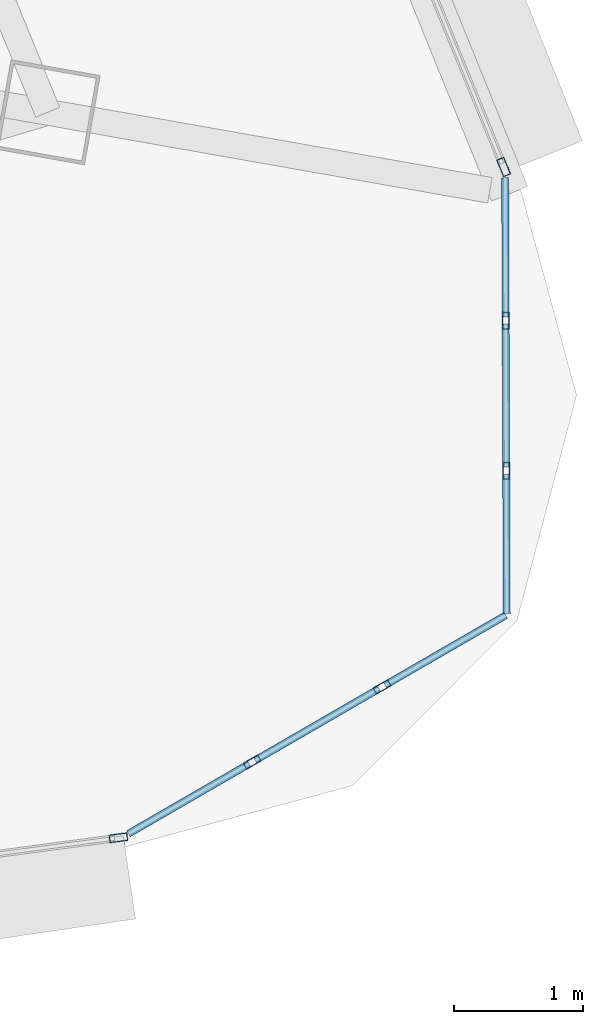
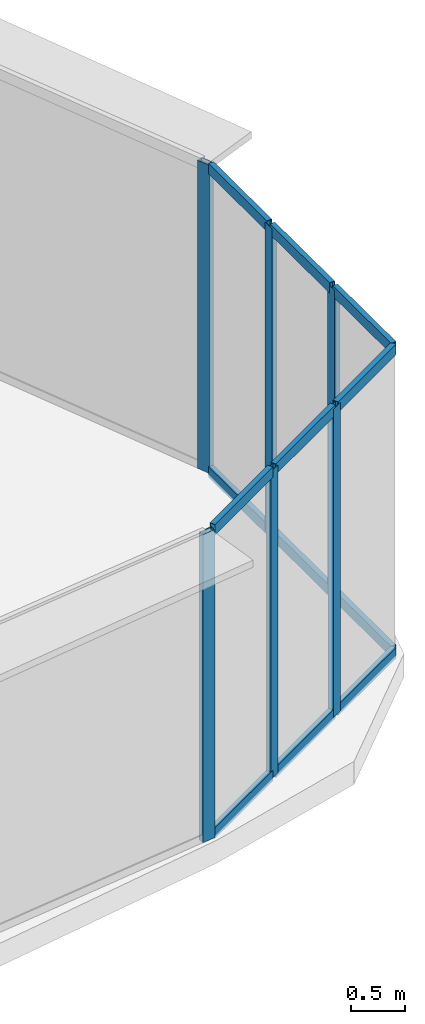
# One storey, part 13 of 27: 18 members, 4 elements without a shape of their own.
"""IFC4 building model written with IfcOpenShell, lengths in metres."""

from ifc_helpers import new_model, si_unit, direction, frame, origin, origin_2d, place, context, subcontext, project, spatial, hollow_rectangle, extrude, source, transform, mapped, material, layer, layer_set, material_profile, profile_set, type_object, element, aggregate, save


model = new_model("IFC4")

# Units and contexts
model_context = context("Model", 3, precision=1e-05, world=origin(), true_north=direction((0.0, 1.0)))
body_context = subcontext(model_context, "Body", "Model", "MODEL_VIEW")
ifc_project = project(units=[si_unit("LENGTHUNIT", "METRE"), si_unit("AREAUNIT", "SQUARE_METRE"), si_unit("VOLUMEUNIT", "CUBIC_METRE"), si_unit("PLANEANGLEUNIT", "RADIAN"), si_unit("MASSUNIT", "GRAM", prefix="KILO"), si_unit("THERMODYNAMICTEMPERATUREUNIT", "KELVIN"), si_unit("POWERUNIT", "WATT")], contexts=[model_context])

# Site, building, storey
site_placement = place(None, origin())
site = spatial("IfcSite", under=ifc_project, at=site_placement, CompositionType="ELEMENT")
building_placement = place(site_placement, origin())
building = spatial("IfcBuilding", under=site, at=building_placement, Name="Yunzhuo Pagoda Commons", CompositionType="ELEMENT")
storey_placement = place(building_placement, frame((0.0, 0.0, 344.260009765625)))
storey = spatial("IfcBuildingStorey", under=building, at=storey_placement, Name="L86", CompositionType="ELEMENT", Elevation=344.260009765625)

# Curtain wall, member
ifc_material = material(Name="Anodized aluminium 6063-T6", Category="aluminium")
ifc_layer_1 = layer(ifc_material, 0.139892578125)
ifc_layer_set_1 = layer_set([ifc_layer_1], Name="Anodized aluminium 6063-T6")
curtain_wall_type_1 = type_object("IfcCurtainWallType", Name="CW-HI High-Zone Ribbon Curtain Wall", PredefinedType="NOTDEFINED", material=ifc_layer_set_1)
curtain_wall_1_placement = place(storey_placement, origin())
curtain_wall_1 = element("IfcCurtainWall", 1, at=curtain_wall_1_placement, inside=storey, type_object=curtain_wall_type_1, Name="L86 curtain wall CW-L86-F1B5", PredefinedType="NOTDEFINED")
ifc_material_profile_1 = material_profile(ifc_material, hollow_rectangle(XDim=0.06005859375, YDim=0.139892578125, WallThickness=0.00341796875, at=origin_2d()), Name="Anodized aluminium 6063-T6")
ifc_profile_set_1 = profile_set([ifc_material_profile_1], Name="Anodized aluminium 6063-T6")
member_type_1 = type_object("IfcMemberType", Name="CW-HI-M Mullion RHS 140x60x3.5", PredefinedType="MULLION", material=ifc_profile_set_1)
shared_shape_1 = source(origin(), body_context, "Body", "SweptSolid", [
    extrude(hollow_rectangle(XDim=0.06005859375, YDim=0.139892578125, WallThickness=0.00341796875, at=origin_2d()), origin(), (0.0, 0.0, 1.0), 3.489990234375),
])
member_1_placement = place(storey_placement, frame((73.0166015625, 23.781982421875, 0.0), z_axis=(0.0, 0.0, 1.0), x_axis=(-0.132068741636, 0.991240559845, 0.0)))
member_1 = element("IfcMember", 2, at=member_1_placement, type_object=member_type_1, Name="CW mullion 2", PredefinedType="MULLION", context=body_context, shape_type="MappedRepresentation", body=[
    mapped(shared_shape_1, transform((0.0, 0.0, 0.0), scale=1.0)),
])
aggregate(curtain_wall_1, [member_1])

curtain_wall_2_placement = place(storey_placement, origin())
curtain_wall_2 = element("IfcCurtainWall", 3, at=curtain_wall_2_placement, inside=storey, type_object=curtain_wall_type_1, Name="L86 curtain wall CW-L86-F2B2", PredefinedType="NOTDEFINED")
member_2_placement = place(storey_placement, frame((75.991455078125, 28.962890625, 0.0), z_axis=(0.0, 0.0, 1.0), x_axis=(-0.925729863061, -0.37818543155, 0.0)))
member_2 = element("IfcMember", 4, at=member_2_placement, type_object=member_type_1, Name="CW mullion 1", PredefinedType="MULLION", context=body_context, shape_type="MappedRepresentation", body=[
    mapped(shared_shape_1, transform((0.0, 0.0, 0.0), scale=1.0)),
])
aggregate(curtain_wall_2, [member_2])

# Curtain wall, members
ifc_layer_2 = layer(ifc_material, 0.1298828125)
ifc_layer_set_2 = layer_set([ifc_layer_2], Name="Anodized aluminium 6063-T6")
curtain_wall_type_2 = type_object("IfcCurtainWallType", Name="CW-VTX Rounded Corner Curtain Wall", PredefinedType="NOTDEFINED", material=ifc_layer_set_2)
curtain_wall_3_placement = place(storey_placement, origin())
curtain_wall_3 = element("IfcCurtainWall", 5, at=curtain_wall_3_placement, inside=storey, type_object=curtain_wall_type_2, Name="L86 curtain wall CW-L86-VTX2S1", PredefinedType="NOTDEFINED")
ifc_material_profile_2 = material_profile(ifc_material, hollow_rectangle(XDim=0.054931640625, YDim=0.1298828125, WallThickness=0.00341796875, at=origin_2d()), Name="Anodized aluminium 6063-T6")
ifc_profile_set_2 = profile_set([ifc_material_profile_2], Name="Anodized aluminium 6063-T6")
member_type_2 = type_object("IfcMemberType", Name="CW-VTX-M Mullion RHS 130x55x3.5", PredefinedType="MULLION", material=ifc_profile_set_2)
shared_shape_2 = source(origin(), body_context, "Body", "SweptSolid", [
    extrude(hollow_rectangle(XDim=0.054931640625, YDim=0.1298828125, WallThickness=0.00341796875, at=origin_2d()), origin(), (0.0, 0.0, 1.0), 3.489990234375),
])
member_3_placement = place(storey_placement, frame((74.04931640625, 24.36669921875, 0.0), z_axis=(0.0, 0.0, 1.0), x_axis=(-0.501028333753, 0.865430880416, 0.0)))
member_3 = element("IfcMember", 6, at=member_3_placement, type_object=member_type_2, Name="CW mullion 2", PredefinedType="MULLION", context=body_context, shape_type="MappedRepresentation", body=[
    mapped(shared_shape_2, transform((0.0, 0.0, 0.0), scale=1.0)),
])
member_4_placement = place(storey_placement, frame((75.05224609375, 24.947265625, 0.0), z_axis=(0.0, 0.0, 1.0), x_axis=(-0.501028333753, 0.865430880416, 0.0)))
member_4 = element("IfcMember", 7, at=member_4_placement, type_object=member_type_2, Name="CW mullion 3", PredefinedType="MULLION", context=body_context, shape_type="MappedRepresentation", body=[
    mapped(shared_shape_2, transform((0.0, 0.0, 0.0), scale=1.0)),
])

curtain_wall_4_placement = place(storey_placement, origin())
curtain_wall_4 = element("IfcCurtainWall", 8, at=curtain_wall_4_placement, inside=storey, type_object=curtain_wall_type_2, Name="L86 curtain wall CW-L86-VTX2S2", PredefinedType="NOTDEFINED")
member_5_placement = place(storey_placement, frame((76.011474609375, 26.617431640625, 0.0), z_axis=(0.0, 0.0, 1.0), x_axis=(-0.999993639375, -0.003566680416, 0.0)))
member_5 = element("IfcMember", 9, at=member_5_placement, type_object=member_type_2, Name="CW mullion 2", PredefinedType="MULLION", context=body_context, shape_type="MappedRepresentation", body=[
    mapped(shared_shape_2, transform((0.0, 0.0, 0.0), scale=1.0)),
])
member_6_placement = place(storey_placement, frame((76.007080078125, 27.776123046875, 0.0), z_axis=(0.0, 0.0, 1.0), x_axis=(-0.999993639375, -0.003566680416, 0.0)))
member_6 = element("IfcMember", 10, at=member_6_placement, type_object=member_type_2, Name="CW mullion 3", PredefinedType="MULLION", context=body_context, shape_type="MappedRepresentation", body=[
    mapped(shared_shape_2, transform((0.0, 0.0, 0.0), scale=1.0)),
])

# Member
ifc_material_profile_3 = material_profile(ifc_material, hollow_rectangle(XDim=0.054931640625, YDim=0.1201171875, WallThickness=0.00341796875, at=origin_2d()), Name="Anodized aluminium 6063-T6")
ifc_profile_set_3 = profile_set([ifc_material_profile_3], Name="Anodized aluminium 6063-T6")
member_type_3 = type_object("IfcMemberType", Name="CW-VTX-T Transom RHS 120x55x3.5", PredefinedType="USERDEFINED", material=ifc_profile_set_3)
shared_shape_3 = source(origin(), body_context, "Body", "SweptSolid", [
    extrude(hollow_rectangle(XDim=0.054931640625, YDim=0.1201171875, WallThickness=0.00341796875, at=origin_2d()), origin(), (0.0, 0.0, 1.0), 1.076171875),
])
member_7_placement = place(storey_placement, frame((75.076171875, 24.961181640625, 0.027587890625), z_axis=(0.865493584374, 0.50092000899, 0.0), x_axis=(-0.50092000899, 0.865493584374, 0.0)))
member_7 = element("IfcMember", 11, at=member_7_placement, type_object=member_type_3, Name="CW transom 3.1", ObjectType="TRANSOM", PredefinedType="USERDEFINED", context=body_context, shape_type="MappedRepresentation", body=[
    mapped(shared_shape_3, transform((0.0, 0.0, 0.0), scale=1.0)),
])

member_8_placement = place(storey_placement, frame((75.076171875, 24.961181640625, 3.46240234375), z_axis=(0.865493584374, 0.50092000899, 0.0), x_axis=(-0.50092000899, 0.865493584374, 0.0)))
member_8 = element("IfcMember", 12, at=member_8_placement, type_object=member_type_3, Name="CW transom 3.2", ObjectType="TRANSOM", PredefinedType="USERDEFINED", context=body_context, shape_type="MappedRepresentation", body=[
    mapped(shared_shape_3, transform((0.0, 0.0, 0.0), scale=1.0)),
])

member_9_placement = place(storey_placement, frame((76.0068359375, 27.8037109375, 0.027587890625), z_axis=(-0.003402884109, 0.999994210173, 0.0), x_axis=(-0.999994210173, -0.003402884109, 0.0)))
member_9 = element("IfcMember", 13, at=member_9_placement, type_object=member_type_3, Name="CW transom 3.1", ObjectType="TRANSOM", PredefinedType="USERDEFINED", context=body_context, shape_type="MappedRepresentation", body=[
    mapped(shared_shape_3, transform((0.0, 0.0, 0.0), scale=1.0)),
])

member_10_placement = place(storey_placement, frame((76.0068359375, 27.8037109375, 3.46240234375), z_axis=(-0.003402884109, 0.999994210173, 0.0), x_axis=(-0.999994210173, -0.003402884109, 0.0)))
member_10 = element("IfcMember", 14, at=member_10_placement, type_object=member_type_3, Name="CW transom 3.2", ObjectType="TRANSOM", PredefinedType="USERDEFINED", context=body_context, shape_type="MappedRepresentation", body=[
    mapped(shared_shape_3, transform((0.0, 0.0, 0.0), scale=1.0)),
])

shared_shape_4 = source(origin(), body_context, "Body", "SweptSolid", [
    extrude(hollow_rectangle(XDim=0.054931640625, YDim=0.1201171875, WallThickness=0.00341796875, at=origin_2d()), origin(), (0.0, 0.0, 1.0), 1.103759765625),
])
member_11_placement = place(storey_placement, frame((76.010986328125, 26.644775390625, 0.027587890625), z_axis=(-0.003539017873, 0.999993737657, 0.0), x_axis=(-0.999993737657, -0.003539017873, 0.0)))
member_11 = element("IfcMember", 15, at=member_11_placement, type_object=member_type_3, Name="CW transom 2.1", ObjectType="TRANSOM", PredefinedType="USERDEFINED", context=body_context, shape_type="MappedRepresentation", body=[
    mapped(shared_shape_4, transform((0.0, 0.0, 0.0), scale=1.0)),
])

member_12_placement = place(storey_placement, frame((76.010986328125, 26.644775390625, 3.46240234375), z_axis=(-0.003539017873, 0.999993737657, 0.0), x_axis=(-0.999993737657, -0.003539017873, 0.0)))
member_12 = element("IfcMember", 16, at=member_12_placement, type_object=member_type_3, Name="CW transom 2.2", ObjectType="TRANSOM", PredefinedType="USERDEFINED", context=body_context, shape_type="MappedRepresentation", body=[
    mapped(shared_shape_4, transform((0.0, 0.0, 0.0), scale=1.0)),
])

shared_shape_5 = source(origin(), body_context, "Body", "SweptSolid", [
    extrude(hollow_rectangle(XDim=0.054931640625, YDim=0.1201171875, WallThickness=0.00341796875, at=origin_2d()), origin(), (0.0, 0.0, 1.0), 1.076416015625),
])
member_13_placement = place(storey_placement, frame((73.093994140625, 23.8134765625, 0.027587890625), z_axis=(0.865452163497, 0.500991569488, 0.0), x_axis=(-0.500991569488, 0.865452163497, 0.0)))
member_13 = element("IfcMember", 17, at=member_13_placement, type_object=member_type_3, Name="CW transom 1.1", ObjectType="TRANSOM", PredefinedType="USERDEFINED", context=body_context, shape_type="MappedRepresentation", body=[
    mapped(shared_shape_5, transform((0.0, 0.0, 0.0), scale=1.0)),
])

member_14_placement = place(storey_placement, frame((73.093994140625, 23.8134765625, 3.46240234375), z_axis=(0.865452163497, 0.500991569488, 0.0), x_axis=(-0.500991569488, 0.865452163497, 0.0)))
member_14 = element("IfcMember", 18, at=member_14_placement, type_object=member_type_3, Name="CW transom 1.2", ObjectType="TRANSOM", PredefinedType="USERDEFINED", context=body_context, shape_type="MappedRepresentation", body=[
    mapped(shared_shape_5, transform((0.0, 0.0, 0.0), scale=1.0)),
])

member_15_placement = place(storey_placement, frame((76.01513671875, 25.513427734375, 0.027587890625), z_axis=(-0.003402112314, 0.999994212799, 0.0), x_axis=(-0.999994212799, -0.003402112314, 0.0)))
member_15 = element("IfcMember", 19, at=member_15_placement, type_object=member_type_3, Name="CW transom 1.1", ObjectType="TRANSOM", PredefinedType="USERDEFINED", context=body_context, shape_type="MappedRepresentation", body=[
    mapped(shared_shape_5, transform((0.0, 0.0, 0.0), scale=1.0)),
])

member_16_placement = place(storey_placement, frame((76.01513671875, 25.513427734375, 3.46240234375), z_axis=(-0.003402112314, 0.999994212799, 0.0), x_axis=(-0.999994212799, -0.003402112314, 0.0)))
member_16 = element("IfcMember", 20, at=member_16_placement, type_object=member_type_3, Name="CW transom 1.2", ObjectType="TRANSOM", PredefinedType="USERDEFINED", context=body_context, shape_type="MappedRepresentation", body=[
    mapped(shared_shape_5, transform((0.0, 0.0, 0.0), scale=1.0)),
])

aggregate(curtain_wall_4, [member_5, member_6, member_15, member_16, member_11, member_12, member_9, member_10])

shared_shape_6 = source(origin(), body_context, "Body", "SweptSolid", [
    extrude(hollow_rectangle(XDim=0.054931640625, YDim=0.1201171875, WallThickness=0.00341796875, at=origin_2d()), origin(), (0.0, 0.0, 1.0), 1.104248046875),
])
member_17_placement = place(storey_placement, frame((74.0732421875, 24.38037109375, 0.027587890625), z_axis=(0.865426285481, 0.501036270542, 0.0), x_axis=(-0.501036270542, 0.865426285481, 0.0)))
member_17 = element("IfcMember", 21, at=member_17_placement, type_object=member_type_3, Name="CW transom 2.1", ObjectType="TRANSOM", PredefinedType="USERDEFINED", context=body_context, shape_type="MappedRepresentation", body=[
    mapped(shared_shape_6, transform((0.0, 0.0, 0.0), scale=1.0)),
])

member_18_placement = place(storey_placement, frame((74.0732421875, 24.38037109375, 3.46240234375), z_axis=(0.865426285481, 0.501036270542, 0.0), x_axis=(-0.501036270542, 0.865426285481, 0.0)))
member_18 = element("IfcMember", 22, at=member_18_placement, type_object=member_type_3, Name="CW transom 2.2", ObjectType="TRANSOM", PredefinedType="USERDEFINED", context=body_context, shape_type="MappedRepresentation", body=[
    mapped(shared_shape_6, transform((0.0, 0.0, 0.0), scale=1.0)),
])

aggregate(curtain_wall_3, [member_3, member_4, member_13, member_14, member_17, member_18, member_7, member_8])

save(model, "model.ifc")
